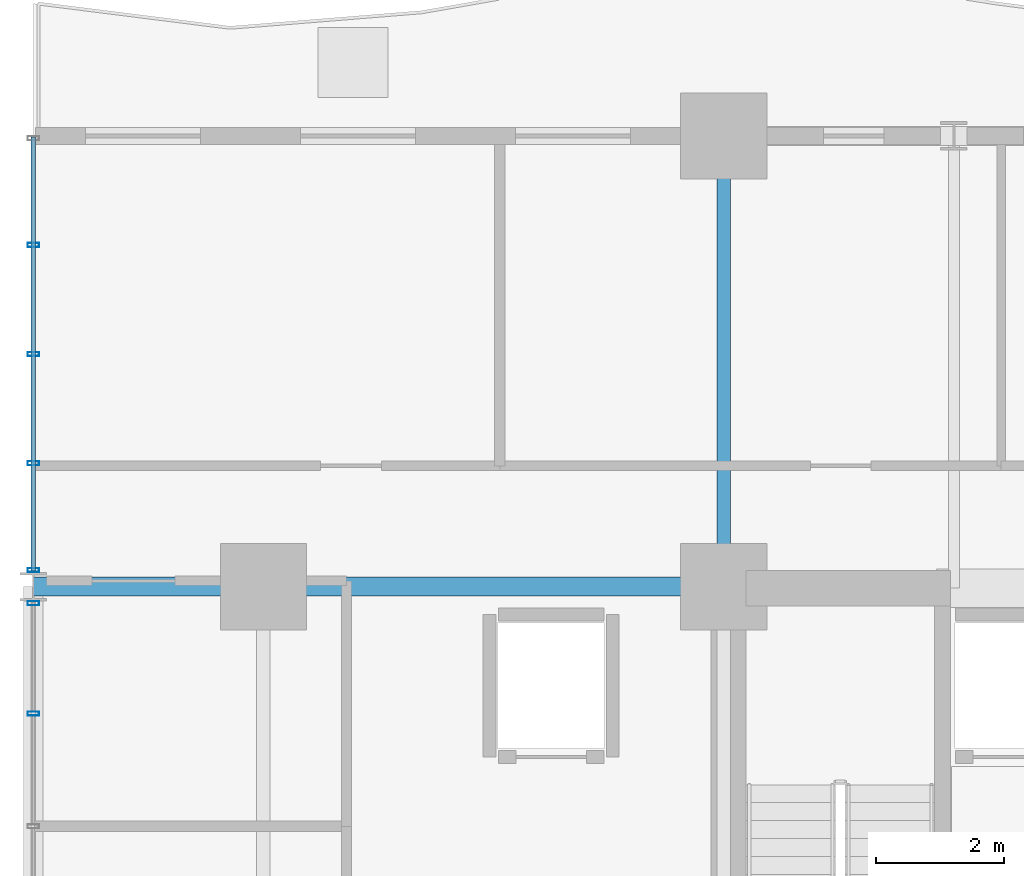
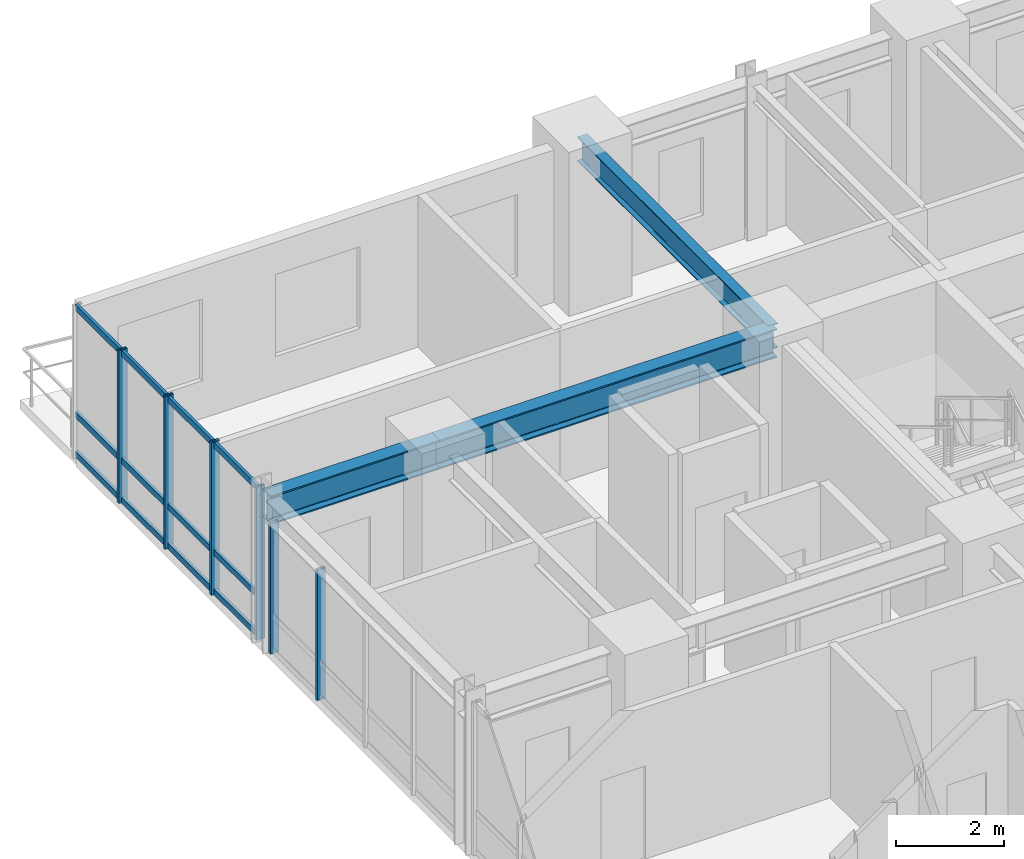
# One storey, part 6 of 19: 9 members, 3 beams, 2 elements without a shape of their own.
"""IFC4 building model written with IfcOpenShell, lengths in metres."""

import ifcopenshell
import ifcopenshell.guid

model = None  # the IFC model being written
_history = None  # IfcOwnerHistory: only IFC2X3 demands one
_inside = {}  # id of a spatial element -> (the spatial element, [elements in it])
_under = {}  # id of a project, library or spatial element -> (it, [spatial elements below it])
_declared = {}  # id of a project -> (the project, [libraries it declares])
_typed = {}  # id of a type object -> (the type object, [elements of that type])
_made_of = {}  # id of a material, layer set ... -> (it, [elements and type objects made of it])


def new_model(schema):
    """Start an empty IFC model of exactly this schema.

    Asked for "IFC4X3", IfcOpenShell would pick the latest addendum, in which some entities
    have other attributes; the version numbers below select the first issue.
    IFC2X3 requires an IfcOwnerHistory on every rooted entity: one is made here for all.
    """
    global model, _history
    if schema == "IFC4X3":
        model = ifcopenshell.file(schema_version=(4, 3, 0, 0))
    else:
        model = ifcopenshell.file(schema=schema)
    _inside.clear()
    _under.clear()
    _declared.clear()
    _typed.clear()
    _made_of.clear()
    _history = None
    if model.schema == "IFC2X3":
        org = make("IfcOrganization", Name="unknown")
        user = make(
            "IfcPersonAndOrganization",
            ThePerson=make("IfcPerson", FamilyName="unknown"),
            TheOrganization=org,
        )
        app = make(
            "IfcApplication",
            ApplicationDeveloper=org,
            Version="unknown",
            ApplicationFullName="unknown",
            ApplicationIdentifier="unknown",
        )
        _history = make(
            "IfcOwnerHistory",
            OwningUser=user,
            OwningApplication=app,
            ChangeAction="ADDED",
            CreationDate=0,
        )
    return model


def make(cls, **values):
    """One entity of the class cls with the attributes given. An attribute that is None is left unset."""
    return model.create_entity(
        cls, **{name: value for name, value in values.items() if value is not None}
    )


def rooted(cls, **values):
    """An entity with a GlobalId (a new one), such as an element, a storey or a relation."""
    return make(cls, GlobalId=ifcopenshell.guid.new(), OwnerHistory=_history, **values)


def si_unit(unit_type, name, prefix=None):
    """IfcSIUnit, for example si_unit("LENGTHUNIT", "METRE", prefix="MILLI")."""
    return make("IfcSIUnit", UnitType=unit_type, Prefix=prefix, Name=name)


def assignment(units):
    """IfcUnitAssignment: the units of a project."""
    return None if units is None else make("IfcUnitAssignment", Units=units)


def point(xyz):
    """IfcCartesianPoint."""
    return None if xyz is None else make("IfcCartesianPoint", Coordinates=xyz)


def direction(xyz):
    """IfcDirection."""
    return None if xyz is None else make("IfcDirection", DirectionRatios=xyz)


def frame(location, z_axis=None, x_axis=None):
    """IfcAxis2Placement3D, a coordinate frame: its origin and axes. An axis left out is left unset."""
    return make(
        "IfcAxis2Placement3D",
        Location=point(location),
        Axis=direction(z_axis),
        RefDirection=direction(x_axis),
    )


def frame_2d(location, x_axis=None):
    """IfcAxis2Placement2D, a coordinate frame in the plane: its origin and x axis."""
    return make(
        "IfcAxis2Placement2D", Location=point(location), RefDirection=direction(x_axis)
    )


def origin():
    """The frame at (0, 0, 0) with its axes left unset."""
    return frame((0.0, 0.0, 0.0))


def origin_2d():
    """The frame at (0, 0) in the plane with its x axis left unset."""
    return frame_2d((0.0, 0.0))


def place(relative_to, where):
    """IfcLocalPlacement: puts the frame where relative to a parent placement (None: the world)."""
    return make(
        "IfcLocalPlacement", PlacementRelTo=relative_to, RelativePlacement=where
    )


def context(
    kind, dimensions, precision=None, world=None, true_north=None, identifier=None
):
    """IfcGeometricRepresentationContext, for example the 3D "Model" context."""
    return make(
        "IfcGeometricRepresentationContext",
        ContextIdentifier=identifier,
        ContextType=kind,
        CoordinateSpaceDimension=dimensions,
        Precision=precision,
        WorldCoordinateSystem=world,
        TrueNorth=true_north,
    )


def subcontext(parent, identifier, kind, view, scale=None):
    """IfcGeometricRepresentationSubContext, for example "Body" below "Model"."""
    return make(
        "IfcGeometricRepresentationSubContext",
        ContextIdentifier=identifier,
        ContextType=kind,
        ParentContext=parent,
        TargetScale=scale,
        TargetView=view,
    )


def project(units=None, contexts=None):
    """IfcProject with its units and contexts."""
    return rooted(
        "IfcProject",
        Name="project",
        RepresentationContexts=contexts,
        UnitsInContext=assignment(units),
    )


def spatial(cls, under=None, at=None, **own):
    """A site, building, storey or space (cls), placed at a placement, below another one or the project."""
    s = rooted(cls, ObjectPlacement=at, **own)
    if under is not None:
        _under.setdefault(under.id(), (under, []))[1].append(s)
    return s


def profile(cls, at=None, kind="AREA", **sizes):
    """A parametric profile (cls). Its sizes go by their IFC names, for example OverallWidth=200.0."""
    return make(cls, ProfileType=kind, Position=at, **sizes)


def hollow_rectangle(**sizes):
    """IfcRectangleHollowProfileDef."""
    return profile("IfcRectangleHollowProfileDef", **sizes)


def i_section(**sizes):
    """IfcIShapeProfileDef."""
    return profile("IfcIShapeProfileDef", **sizes)


def extrude(swept, where, along, depth):
    """IfcExtrudedAreaSolid: the profile swept, set in the frame where, extruded along a direction by depth."""
    return make(
        "IfcExtrudedAreaSolid",
        SweptArea=swept,
        Position=where,
        ExtrudedDirection=direction(along),
        Depth=depth,
    )


def shape(context_of_items, identifier, shape_type, items):
    """IfcShapeRepresentation: the items that make up one representation, for example the "Body"."""
    return make(
        "IfcShapeRepresentation",
        ContextOfItems=context_of_items,
        RepresentationIdentifier=identifier,
        RepresentationType=shape_type,
        Items=items,
    )


def source(mapping_origin, context_of_items, identifier, shape_type, items):
    """IfcRepresentationMap: a shape defined once, which mapped items show again and again."""
    return make(
        "IfcRepresentationMap",
        MappingOrigin=mapping_origin,
        MappedRepresentation=shape(context_of_items, identifier, shape_type, items),
    )


def transform(
    local_origin,
    x_axis=None,
    y_axis=None,
    z_axis=None,
    scale=None,
    scale2=None,
    scale3=None,
    uniform=True,
):
    """IfcCartesianTransformationOperator3D, or its non-uniform kind. x_axis, y_axis, z_axis: its Axis1, 2, 3."""
    if uniform:
        return make(
            "IfcCartesianTransformationOperator3D",
            Axis1=direction(x_axis),
            Axis2=direction(y_axis),
            LocalOrigin=point(local_origin),
            Scale=scale,
            Axis3=direction(z_axis),
        )
    return make(
        "IfcCartesianTransformationOperator3DnonUniform",
        Axis1=direction(x_axis),
        Axis2=direction(y_axis),
        LocalOrigin=point(local_origin),
        Scale=scale,
        Axis3=direction(z_axis),
        Scale2=scale2,
        Scale3=scale3,
    )


def mapped(mapping_source, mapping_target):
    """IfcMappedItem: shows the shape of a source again, moved by a transform."""
    return make(
        "IfcMappedItem", MappingSource=mapping_source, MappingTarget=mapping_target
    )


def material(Name=None, Category=None):
    """IfcMaterial."""
    return make("IfcMaterial", Name=Name, Category=Category)


def layer(
    of_material, thickness, ventilated=None, Name=None, Category=None, Priority=None
):
    """IfcMaterialLayer: one layer of a wall or slab, of a material (None: an air gap)."""
    return make(
        "IfcMaterialLayer",
        Material=of_material,
        LayerThickness=thickness,
        IsVentilated=ventilated,
        Name=Name,
        Category=Category,
        Priority=Priority,
    )


def layer_set(layers, Name=None):
    """IfcMaterialLayerSet."""
    return make("IfcMaterialLayerSet", MaterialLayers=layers, LayerSetName=Name)


def material_profile(
    of_material, cross_section, Name=None, Category=None, Priority=None
):
    """IfcMaterialProfile: a cross section and its material."""
    return make(
        "IfcMaterialProfile",
        Name=Name,
        Material=of_material,
        Profile=cross_section,
        Priority=Priority,
        Category=Category,
    )


def profile_set(profiles, Name=None, composite=None):
    """IfcMaterialProfileSet."""
    return make(
        "IfcMaterialProfileSet",
        Name=Name,
        MaterialProfiles=profiles,
        CompositeProfile=composite,
    )


def made_of(thing, what):
    """Note that an element or type object is made of a material, layer set ...; save() writes the relation."""
    if what is not None:
        _made_of.setdefault(what.id(), (what, []))[1].append(thing)
    return thing


def type_object(cls, material=None, **own):
    """A type object (cls), such as IfcWallType, which elements share."""
    return made_of(rooted(cls, **own), material)


def element(
    cls,
    number,
    at=None,
    inside=None,
    cuts=None,
    type_object=None,
    material=None,
    context=None,
    identifier="Body",
    shape_type=None,
    held_by="IfcProductDefinitionShape",
    body=None,
    shapes=None,
    **own,
):
    """One element of the class cls, such as IfcWall. Its Tag is "e" and its number.

    at: its placement. inside: the storey or other place that contains it. cuts: it is an
    opening in that element (IfcRelVoidsElement). A single representation is given by context,
    identifier, shape_type and body (its items); several are given by shapes. held_by: the class
    of the entity that holds the representations. save() writes the other relations.
    """
    e = rooted(cls, Tag="e%d" % number, ObjectPlacement=at, **own)
    if body is not None:
        shapes = [shape(context, identifier, shape_type, body)]
    if shapes is not None:
        e.Representation = make(held_by, Representations=shapes)
    if inside is not None:
        _inside.setdefault(inside.id(), (inside, []))[1].append(e)
    if cuts is not None:
        rooted(
            "IfcRelVoidsElement", RelatingBuildingElement=cuts, RelatedOpeningElement=e
        )
    if type_object is not None:
        _typed.setdefault(type_object.id(), (type_object, []))[1].append(e)
    return made_of(e, material)


def aggregate(whole, parts):
    """IfcRelAggregates: a whole, such as a stair, and the parts it consists of."""
    return rooted("IfcRelAggregates", RelatingObject=whole, RelatedObjects=parts)


def save(model, path):
    """Write the relations noted so far, then the file.

    IfcRelAggregates (storeys below a building ...), IfcRelContainedInSpatialStructure (elements
    in a storey), IfcRelDefinesByType, IfcRelAssociatesMaterial and IfcRelDeclares: one each for
    every whole, place, type object, material and project.
    """
    for whole, parts in _under.values():
        aggregate(whole, parts)
    for where, things in _inside.values():
        rooted(
            "IfcRelContainedInSpatialStructure",
            RelatedElements=things,
            RelatingStructure=where,
        )
    for kind, things in _typed.values():
        rooted("IfcRelDefinesByType", RelatedObjects=things, RelatingType=kind)
    for what, things in _made_of.values():
        rooted("IfcRelAssociatesMaterial", RelatedObjects=things, RelatingMaterial=what)
    for by, libraries in _declared.values():
        rooted("IfcRelDeclares", RelatingContext=by, RelatedDefinitions=libraries)
    model.write(path)


model = new_model("IFC4")

# Units and contexts
model_context = context("Model", 3, precision=1e-05, world=origin(), true_north=direction((0.0, 1.0)))
body_context = subcontext(model_context, "Body", "Model", "MODEL_VIEW")
ifc_project = project(units=[si_unit("LENGTHUNIT", "METRE"), si_unit("AREAUNIT", "SQUARE_METRE"), si_unit("VOLUMEUNIT", "CUBIC_METRE"), si_unit("PLANEANGLEUNIT", "RADIAN"), si_unit("MASSUNIT", "GRAM", prefix="KILO")], contexts=[model_context])

# Site, building, storey
site_placement = place(None, origin())
site = spatial("IfcSite", under=ifc_project, at=site_placement, CompositionType="ELEMENT")
building_placement = place(site_placement, origin())
building = spatial("IfcBuilding", under=site, at=building_placement, Name="Kaliganga Portal Commons", CompositionType="ELEMENT")
storey_placement = place(building_placement, frame((0.0, 0.0, 32.699951171875)))
storey = spatial("IfcBuildingStorey", under=building, at=storey_placement, Name="L07", CompositionType="ELEMENT", Elevation=32.699951171875)

# Beams
ifc_material_1 = material(Name="Structural steel S355J2", Category="steel")
ifc_material_profile_1 = material_profile(ifc_material_1, i_section(OverallWidth=0.300048828125, OverallDepth=0.64990234375, WebThickness=0.01611328125, FlangeThickness=0.031005859375, FilletRadius=0.027099609375, at=origin_2d()), Name="HE 650 B")
ifc_profile_set_1 = profile_set([ifc_material_profile_1], Name="Structural steel S355J2 wide-flange")
beam_type_1 = type_object("IfcBeamType", Name="BM-GIRD-650", PredefinedType="USERDEFINED", material=ifc_profile_set_1)
shared_shape_1 = source(origin(), body_context, "Body", "SweptSolid", [
    extrude(i_section(OverallWidth=0.300048828125, OverallDepth=0.64990234375, WebThickness=0.01611328125, FlangeThickness=0.031005859375, FilletRadius=0.027099609375, at=origin_2d()), origin(), (0.0, 0.0, 1.0), 3.599853515625),
])
beam_1_placement = place(storey_placement, frame((3.60009765625, 36.14990234375, 3.125), z_axis=(1.0, 0.0, 0.0), x_axis=(0.0, 1.0, 0.0)))
element("IfcBeam", 1, at=beam_1_placement, inside=storey, type_object=beam_type_1, Name="BM G L07 WAH_N 1", ObjectType="GIRDER", PredefinedType="USERDEFINED", context=body_context, shape_type="MappedRepresentation", body=[
    mapped(shared_shape_1, transform((0.0, 0.0, 0.0), x_axis=(1.0, 0.0, 0.0), y_axis=(0.0, 1.0, 0.0), z_axis=(0.0, 0.0, 1.0), scale=1.0)),
])
shared_shape_2 = source(origin(), body_context, "Body", "SweptSolid", [
    extrude(i_section(OverallWidth=0.300048828125, OverallDepth=0.64990234375, WebThickness=0.01611328125, FlangeThickness=0.031005859375, FilletRadius=0.027099609375, at=origin_2d()), origin(), (0.0, 0.0, 1.0), 7.199951171875),
])
beam_2_placement = place(storey_placement, frame((7.199951171875, 36.14990234375, 3.125), z_axis=(1.0, 0.0, 0.0), x_axis=(0.0, 1.0, 0.0)))
element("IfcBeam", 2, at=beam_2_placement, inside=storey, type_object=beam_type_1, Name="BM G L07 WAH_N 2", ObjectType="GIRDER", PredefinedType="USERDEFINED", context=body_context, shape_type="MappedRepresentation", body=[
    mapped(shared_shape_2, transform((0.0, 0.0, 0.0), x_axis=(1.0, 0.0, 0.0), y_axis=(0.0, 1.0, 0.0), z_axis=(0.0, 0.0, 1.0), scale=1.0)),
])
ifc_material_profile_2 = material_profile(ifc_material_1, i_section(OverallWidth=0.2099609375, OverallDepth=0.550048828125, WebThickness=0.010986328125, FlangeThickness=0.01708984375, FilletRadius=0.02392578125, at=origin_2d()), Name="IPE 550")
ifc_profile_set_2 = profile_set([ifc_material_profile_2], Name="Structural steel S355J2 wide-flange")
beam_type_2 = type_object("IfcBeamType", Name="BM-FLR-550", PredefinedType="BEAM", material=ifc_profile_set_2)
shared_shape_3 = source(origin(), body_context, "Body", "SweptSolid", [
    extrude(i_section(OverallWidth=0.2099609375, OverallDepth=0.550048828125, WebThickness=0.010986328125, FlangeThickness=0.01708984375, FilletRadius=0.02392578125, at=origin_2d()), origin(), (0.0, 0.0, 1.0), 7.050048828125),
])
beam_3_placement = place(storey_placement, frame((14.39990234375, 36.14990234375, 3.175048828125), z_axis=(0.0, 1.0, 0.0), x_axis=(-1.0, 0.0, 0.0)))
element("IfcBeam", 3, at=beam_3_placement, inside=storey, type_object=beam_type_2, Name="BM G L07 AN144", PredefinedType="BEAM", context=body_context, shape_type="MappedRepresentation", body=[
    mapped(shared_shape_3, transform((0.0, 0.0, 0.0), x_axis=(1.0, 0.0, 0.0), y_axis=(0.0, 1.0, 0.0), z_axis=(0.0, 0.0, 1.0), scale=1.0)),
])

# Curtain wall, members
ifc_material_2 = material(Name="Anodized Aluminium and Laminated Low-E Glass", Category="aluminium")
ifc_layer = layer(ifc_material_2, 0.199951171875)
ifc_layer_set = layer_set([ifc_layer], Name="Anodized Aluminium and Laminated Low-E Glass")
curtain_wall_type = type_object("IfcCurtainWallType", Name="CW-SYS-02", PredefinedType="NOTDEFINED", material=ifc_layer_set)
curtain_wall_1_placement = place(storey_placement, origin())
curtain_wall_1 = element("IfcCurtainWall", 4, at=curtain_wall_1_placement, inside=storey, type_object=curtain_wall_type, Name="CW 02 L07 P1E03S1", PredefinedType="NOTDEFINED")
ifc_material_3 = material(Name="Dark Bronze Anodized Aluminium", Category="aluminium")
ifc_material_profile_3 = material_profile(ifc_material_3, hollow_rectangle(XDim=0.06494140625, YDim=0.179931640625, WallThickness=0.00390625, at=origin_2d()), Name="ALU MULL 65x180x4")
ifc_profile_set_3 = profile_set([ifc_material_profile_3], Name="Dark Bronze Anodized Aluminium")
member_type_1 = type_object("IfcMemberType", Name="CW-MUL-180", PredefinedType="MULLION", material=ifc_profile_set_3)
shared_shape_4 = source(origin(), body_context, "Body", "SweptSolid", [
    extrude(hollow_rectangle(XDim=0.06494140625, YDim=0.179931640625, WallThickness=0.00390625, at=origin_2d()), origin(), (0.0, 0.0, 1.0), 3.449951171875),
])
member_1_placement = place(storey_placement, frame((3.60009765625, 41.493408203125, 0.0), z_axis=(0.0, 0.0, 1.0), x_axis=(0.0, -1.0, 0.0)))
member_1 = element("IfcMember", 5, at=member_1_placement, type_object=member_type_1, Name="CW:02:L07:P1E03S1 Mullion 01", PredefinedType="MULLION", context=body_context, shape_type="MappedRepresentation", body=[
    mapped(shared_shape_4, transform((0.0, 0.0, 0.0), x_axis=(1.0, 0.0, 0.0), y_axis=(0.0, 1.0, 0.0), z_axis=(0.0, 0.0, 1.0), scale=1.0)),
])
member_2_placement = place(storey_placement, frame((3.60009765625, 39.787109375, 0.0), z_axis=(0.0, 0.0, 1.0), x_axis=(0.0, -1.0, 0.0)))
member_2 = element("IfcMember", 6, at=member_2_placement, type_object=member_type_1, Name="CW:02:L07:P1E03S1 Mullion 02", PredefinedType="MULLION", context=body_context, shape_type="MappedRepresentation", body=[
    mapped(shared_shape_4, transform((0.0, 0.0, 0.0), x_axis=(1.0, 0.0, 0.0), y_axis=(0.0, 1.0, 0.0), z_axis=(0.0, 0.0, 1.0), scale=1.0)),
])
member_3_placement = place(storey_placement, frame((3.60009765625, 38.08056640625, 0.0), z_axis=(0.0, 0.0, 1.0), x_axis=(0.0, -1.0, 0.0)))
member_3 = element("IfcMember", 7, at=member_3_placement, type_object=member_type_1, Name="CW:02:L07:P1E03S1 Mullion 03", PredefinedType="MULLION", context=body_context, shape_type="MappedRepresentation", body=[
    mapped(shared_shape_4, transform((0.0, 0.0, 0.0), x_axis=(1.0, 0.0, 0.0), y_axis=(0.0, 1.0, 0.0), z_axis=(0.0, 0.0, 1.0), scale=1.0)),
])
member_4_placement = place(storey_placement, frame((3.60009765625, 36.408935546875, 0.0), z_axis=(0.0, 0.0, 1.0), x_axis=(0.0, -1.0, 0.0)))
member_4 = element("IfcMember", 8, at=member_4_placement, type_object=member_type_1, Name="CW:02:L07:P1E03S1 Mullion 04", PredefinedType="MULLION", context=body_context, shape_type="MappedRepresentation", body=[
    mapped(shared_shape_4, transform((0.0, 0.0, 0.0), x_axis=(1.0, 0.0, 0.0), y_axis=(0.0, 1.0, 0.0), z_axis=(0.0, 0.0, 1.0), scale=1.0)),
])

curtain_wall_2_placement = place(storey_placement, origin())
curtain_wall_2 = element("IfcCurtainWall", 9, at=curtain_wall_2_placement, inside=storey, type_object=curtain_wall_type, Name="CW 02 L07 P1E03S2", PredefinedType="NOTDEFINED")
shared_shape_5 = source(origin(), body_context, "Body", "SweptSolid", [
    extrude(hollow_rectangle(XDim=0.06494140625, YDim=0.179931640625, WallThickness=0.00390625, at=origin_2d()), origin(), (0.0, 0.0, 1.0), 2.949951171875),
])
member_5_placement = place(storey_placement, frame((3.60009765625, 35.89111328125, 0.0), z_axis=(0.0, 0.0, 1.0), x_axis=(0.0, -1.0, 0.0)))
member_5 = element("IfcMember", 10, at=member_5_placement, type_object=member_type_1, Name="CW:02:L07:P1E03S2 Mullion 00", PredefinedType="MULLION", context=body_context, shape_type="MappedRepresentation", body=[
    mapped(shared_shape_5, transform((0.0, 0.0, 0.0), x_axis=(1.0, 0.0, 0.0), y_axis=(0.0, 1.0, 0.0), z_axis=(0.0, 0.0, 1.0), scale=1.0)),
])
member_6_placement = place(storey_placement, frame((3.60009765625, 34.1630859375, 0.0), z_axis=(0.0, 0.0, 1.0), x_axis=(0.0, -1.0, 0.0)))
member_6 = element("IfcMember", 11, at=member_6_placement, type_object=member_type_1, Name="CW:02:L07:P1E03S2 Mullion 01", PredefinedType="MULLION", context=body_context, shape_type="MappedRepresentation", body=[
    mapped(shared_shape_5, transform((0.0, 0.0, 0.0), x_axis=(1.0, 0.0, 0.0), y_axis=(0.0, 1.0, 0.0), z_axis=(0.0, 0.0, 1.0), scale=1.0)),
])
aggregate(curtain_wall_2, [member_5, member_6])

# Member
ifc_material_profile_4 = material_profile(ifc_material_3, hollow_rectangle(XDim=0.06494140625, YDim=0.135009765625, WallThickness=0.00341796875, at=origin_2d()), Name="ALU TRAN 65x135x3.5")
ifc_profile_set_4 = profile_set([ifc_material_profile_4], Name="Dark Bronze Anodized Aluminium")
member_type_2 = type_object("IfcMemberType", Name="CW-TRN-135", PredefinedType="USERDEFINED", material=ifc_profile_set_4)
shared_shape_6 = source(origin(), body_context, "Body", "SweptSolid", [
    extrude(hollow_rectangle(XDim=0.06494140625, YDim=0.135009765625, WallThickness=0.00341796875, at=origin_2d()), origin(), (0.0, 0.0, 1.0), 6.785888671875),
])
member_7_placement = place(storey_placement, frame((3.60009765625, 43.179931640625, 0.06005859375), z_axis=(0.0, -1.0, 0.0), x_axis=(1.0, 0.0, 0.0)))
member_7 = element("IfcMember", 12, at=member_7_placement, type_object=member_type_2, Name="CW:02:L07:P1E03S1 Transom 1", ObjectType="TRANSOM", PredefinedType="USERDEFINED", context=body_context, shape_type="MappedRepresentation", body=[
    mapped(shared_shape_6, transform((0.0, 0.0, 0.0), x_axis=(1.0, 0.0, 0.0), y_axis=(0.0, 1.0, 0.0), z_axis=(0.0, 0.0, 1.0), scale=1.0)),
])

member_8_placement = place(storey_placement, frame((3.60009765625, 43.179931640625, 0.949951171875), z_axis=(0.0, -1.0, 0.0), x_axis=(1.0, 0.0, 0.0)))
member_8 = element("IfcMember", 13, at=member_8_placement, type_object=member_type_2, Name="CW:02:L07:P1E03S1 Transom 2", ObjectType="TRANSOM", PredefinedType="USERDEFINED", context=body_context, shape_type="MappedRepresentation", body=[
    mapped(shared_shape_6, transform((0.0, 0.0, 0.0), x_axis=(1.0, 0.0, 0.0), y_axis=(0.0, 1.0, 0.0), z_axis=(0.0, 0.0, 1.0), scale=1.0)),
])

member_9_placement = place(storey_placement, frame((3.60009765625, 43.179931640625, 3.3701171875), z_axis=(0.0, -1.0, 0.0), x_axis=(1.0, 0.0, 0.0)))
member_9 = element("IfcMember", 14, at=member_9_placement, type_object=member_type_2, Name="CW:02:L07:P1E03S1 Transom 3", ObjectType="TRANSOM", PredefinedType="USERDEFINED", context=body_context, shape_type="MappedRepresentation", body=[
    mapped(shared_shape_6, transform((0.0, 0.0, 0.0), x_axis=(1.0, 0.0, 0.0), y_axis=(0.0, 1.0, 0.0), z_axis=(0.0, 0.0, 1.0), scale=1.0)),
])

aggregate(curtain_wall_1, [member_1, member_2, member_3, member_4, member_7, member_8, member_9])

save(model, "model.ifc")
